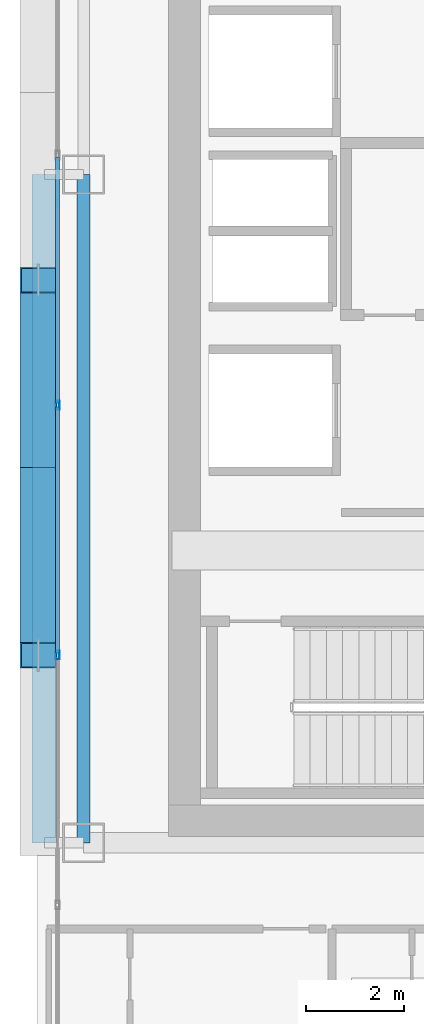
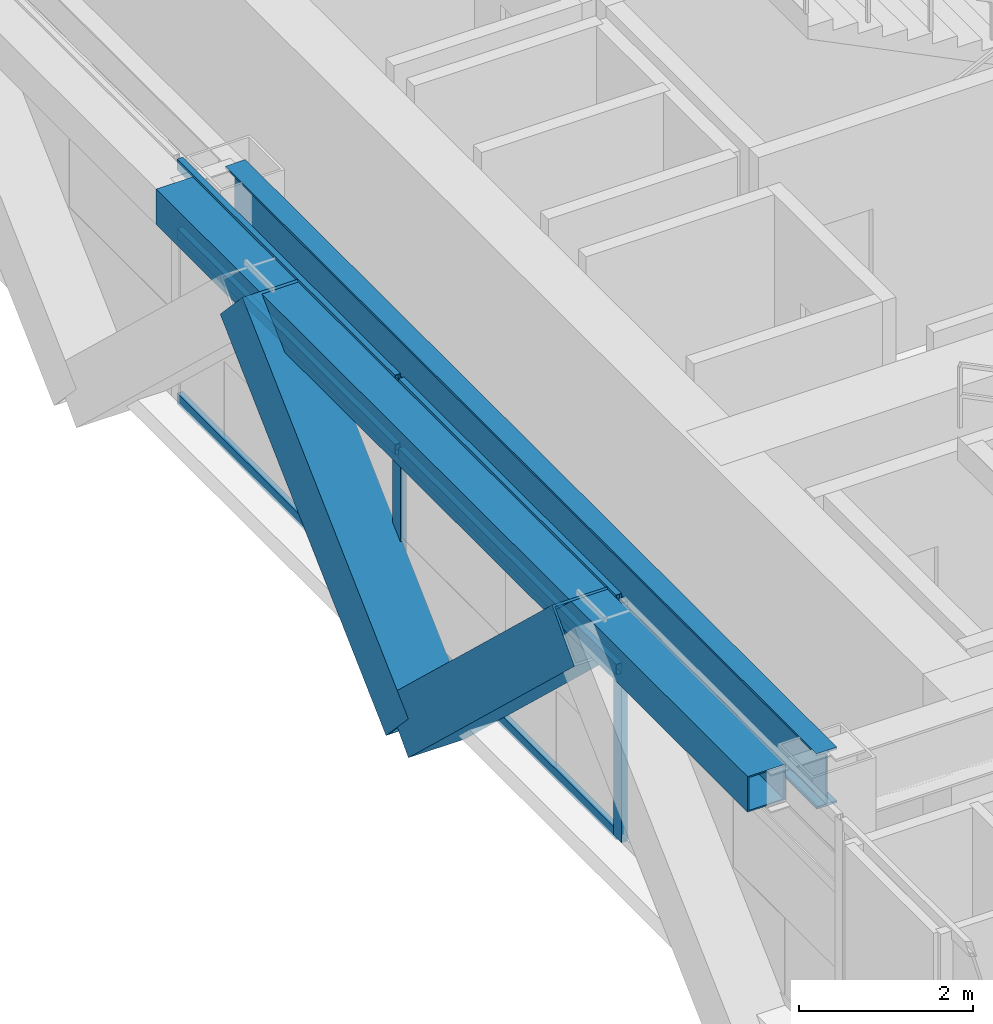
# One storey, part 6 of 36: 10 members, 2 beams, 1 element without a shape of its own.
"""IFC4 building model written with IfcOpenShell, lengths in metres."""

from ifc_helpers import new_model, si_unit, direction, frame, origin, origin_2d, place, context, subcontext, project, spatial, hollow_rectangle, i_section, extrude, source, transform, mapped, material, layer, layer_set, material_profile, profile_set, type_object, element, aggregate, save


model = new_model("IFC4")

# Units and contexts
model_context = context("Model", 3, precision=1e-05, world=origin(), true_north=direction((0.0, 1.0)))
body_context = subcontext(model_context, "Body", "Model", "MODEL_VIEW")
ifc_project = project(units=[si_unit("LENGTHUNIT", "METRE"), si_unit("AREAUNIT", "SQUARE_METRE"), si_unit("VOLUMEUNIT", "CUBIC_METRE"), si_unit("PLANEANGLEUNIT", "RADIAN"), si_unit("MASSUNIT", "GRAM", prefix="KILO")], contexts=[model_context])

# Site, building, storey
site_placement = place(None, origin())
site = spatial("IfcSite", under=ifc_project, at=site_placement, CompositionType="ELEMENT")
building_placement = place(site_placement, origin())
building = spatial("IfcBuilding", under=site, at=building_placement, Name="Ocotamira Hotel", CompositionType="ELEMENT")
storey_placement = place(building_placement, frame((0.0, 0.0, 133.199951171875)))
storey = spatial("IfcBuildingStorey", under=building, at=storey_placement, Name="L33", CompositionType="ELEMENT", Elevation=133.199951171875)

# Beams
ifc_material_1 = material(Name="Steel ASTM A992 Grade 50", Category="steel")
ifc_material_profile_1 = material_profile(ifc_material_1, i_section(OverallWidth=0.26611328125, OverallDepth=0.779052734375, WebThickness=0.0166015625, FlangeThickness=0.030029296875, FilletRadius=0.01806640625, at=origin_2d()), Name="W30X148")
ifc_profile_set_1 = profile_set([ifc_material_profile_1], Name="Steel ASTM A992 Grade 50")
beam_type_1 = type_object("IfcBeamType", Name="BM-GIRD-W30X148", PredefinedType="BEAM", material=ifc_profile_set_1)
shared_shape_1 = source(origin(), body_context, "Body", "SweptSolid", [
    extrude(i_section(OverallWidth=0.26611328125, OverallDepth=0.779052734375, WebThickness=0.0166015625, FlangeThickness=0.030029296875, FilletRadius=0.01806640625, at=origin_2d()), origin(), (0.0, 0.0, 1.0), 13.599853515625),
])
beam_1_placement = place(storey_placement, frame((8.949951171875, 14.550048828125, 2.970458984375), z_axis=(0.0, 1.0, 0.0), x_axis=(-1.0, 0.0, 0.0)))
element("IfcBeam", 1, at=beam_1_placement, inside=storey, type_object=beam_type_1, Name="L33 Beam X8.95 Y14.55-28.15", PredefinedType="BEAM", context=body_context, shape_type="MappedRepresentation", body=[
    mapped(shared_shape_1, transform((0.0, 0.0, 0.0), scale=1.0)),
])
ifc_material_2 = material(Name="Steel ASTM A500 Grade C", Category="steel")
ifc_material_profile_2 = material_profile(ifc_material_2, hollow_rectangle(XDim=0.5, YDim=0.5, WallThickness=0.02001953125, at=origin_2d()), Name="HSS500X500X20")
ifc_profile_set_2 = profile_set([ifc_material_profile_2], Name="Steel ASTM A500 Grade C")
beam_type_2 = type_object("IfcBeamType", Name="BM-SPAN-HSS500", PredefinedType="USERDEFINED", material=ifc_profile_set_2)
shared_shape_2 = source(origin(), body_context, "Body", "SweptSolid", [
    extrude(hollow_rectangle(XDim=0.5, YDim=0.5, WallThickness=0.02001953125, at=origin_2d()), origin(), (0.0, 0.0, 1.0), 13.599853515625),
])
beam_2_placement = place(storey_placement, frame((8.14990234375, 14.550048828125, 3.110107421875), z_axis=(0.0, 1.0, 0.0), x_axis=(-1.0, 0.0, 0.0)))
element("IfcBeam", 2, at=beam_2_placement, inside=storey, type_object=beam_type_2, Name="L33 Edge Spandrel W Y14.55-28.15", ObjectType="SPANDREL", PredefinedType="USERDEFINED", context=body_context, shape_type="MappedRepresentation", body=[
    mapped(shared_shape_2, transform((0.0, 0.0, 0.0), scale=1.0)),
])

# Members
ifc_material_3 = material(Name="Pale-metal coated steel ASTM A913 Grade 65", Category="steel")
ifc_material_profile_3 = material_profile(ifc_material_3, hollow_rectangle(XDim=0.75, YDim=0.75, WallThickness=0.028076171875, at=origin_2d()), Name="BOX750X750X28")
ifc_profile_set_3 = profile_set([ifc_material_profile_3], Name="Pale-metal coated steel ASTM A913 Grade 65")
member_type_1 = type_object("IfcMemberType", Name="MEM-EXO-BOX750", PredefinedType="BRACE", material=ifc_profile_set_3)
shared_shape_3 = source(origin(), body_context, "Body", "SweptSolid", [
    extrude(hollow_rectangle(XDim=0.75, YDim=0.75, WallThickness=0.028076171875, at=origin_2d()), origin(), (0.0, 0.0, 1.0), 5.24658203125),
])
for number, where, z_axis, x_axis, name in (
    (3, (8.030029296875, 22.183349609375, -0.489990234375), (0.0, -0.727442733726, 0.686168397078), (1.0, 0.0, 0.0), "L33 Exoskeleton Diagrid W0.2"),
    (4, (8.030029296875, 22.183349609375, -0.489990234375), (0.0, 0.727442733726, 0.686168397078), (-1.0, 0.0, 0.0), "L33 Exoskeleton Diagrid W1.1"),
):
    element("IfcMember", number, at=place(storey_placement, frame(where, z_axis=z_axis, x_axis=x_axis)), inside=storey, type_object=member_type_1, Name=name, PredefinedType="BRACE", context=body_context, shape_type="MappedRepresentation", body=[
        mapped(shared_shape_3, transform((0.0, 0.0, 0.0), scale=1.0)),
    ])

# Curtain wall, members
ifc_material_4 = material(Name="Anodised pale-metal aluminium and solar glass", Category="aluminium")
ifc_layer = layer(ifc_material_4, 0.179931640625)
ifc_layer_set = layer_set([ifc_layer], Name="Anodised pale-metal aluminium and solar glass")
curtain_wall_type = type_object("IfcCurtainWallType", Name="CW-SYS3-Z2", PredefinedType="NOTDEFINED", material=ifc_layer_set)
curtain_wall_placement = place(storey_placement, origin())
curtain_wall = element("IfcCurtainWall", 5, at=curtain_wall_placement, inside=storey, type_object=curtain_wall_type, Name="L33 Curtain Wall CW-3 CW-L33-W", PredefinedType="NOTDEFINED")
ifc_material_5 = material(Name="Anodised pale-metal aluminium 6063-T6", Category="aluminium")
ifc_material_profile_4 = material_profile(ifc_material_5, hollow_rectangle(XDim=0.074951171875, YDim=0.14990234375, WallThickness=0.006103515625, at=origin_2d()), Name="HSS150X75X6")
ifc_profile_set_4 = profile_set([ifc_material_profile_4], Name="Anodised pale-metal aluminium 6063-T6")
member_type_2 = type_object("IfcMemberType", Name="CWT-150X75", PredefinedType="USERDEFINED", material=ifc_profile_set_4)
shared_shape_4 = source(origin(), body_context, "Body", "SweptSolid", [
    extrude(hollow_rectangle(XDim=0.074951171875, YDim=0.14990234375, WallThickness=0.006103515625, at=origin_2d()), origin(), (0.0, 0.0, 1.0), 5.005859375),
])
member_1_placement = place(storey_placement, frame((8.419921875, 18.411376953125, 0.03759765625), z_axis=(0.0, 1.0, 0.0), x_axis=(-1.0, 0.0, 0.0)))
member_1 = element("IfcMember", 6, at=member_1_placement, type_object=member_type_2, Name="CW-3 transom 3.1", ObjectType="TRANSOM", PredefinedType="USERDEFINED", context=body_context, shape_type="MappedRepresentation", body=[
    mapped(shared_shape_4, transform((0.0, 0.0, 0.0), scale=1.0)),
])
member_2_placement = place(storey_placement, frame((8.419921875, 18.411376953125, 2.35009765625), z_axis=(0.0, 1.0, 0.0), x_axis=(-1.0, 0.0, 0.0)))
member_2 = element("IfcMember", 7, at=member_2_placement, type_object=member_type_2, Name="CW-3 transom 3.2", ObjectType="TRANSOM", PredefinedType="USERDEFINED", context=body_context, shape_type="MappedRepresentation", body=[
    mapped(shared_shape_4, transform((0.0, 0.0, 0.0), scale=1.0)),
])
member_3_placement = place(storey_placement, frame((8.419921875, 18.411376953125, 3.322509765625), z_axis=(0.0, 1.0, 0.0), x_axis=(-1.0, 0.0, 0.0)))
member_3 = element("IfcMember", 8, at=member_3_placement, type_object=member_type_2, Name="CW-3 transom 3.3", ObjectType="TRANSOM", PredefinedType="USERDEFINED", context=body_context, shape_type="MappedRepresentation", body=[
    mapped(shared_shape_4, transform((0.0, 0.0, 0.0), scale=1.0)),
])
member_4_placement = place(storey_placement, frame((8.419921875, 23.4970703125, 0.03759765625), z_axis=(0.0, 1.0, 0.0), x_axis=(-1.0, 0.0, 0.0)))
member_4 = element("IfcMember", 9, at=member_4_placement, type_object=member_type_2, Name="CW-3 transom 4.1", ObjectType="TRANSOM", PredefinedType="USERDEFINED", context=body_context, shape_type="MappedRepresentation", body=[
    mapped(shared_shape_4, transform((0.0, 0.0, 0.0), scale=1.0)),
])
member_5_placement = place(storey_placement, frame((8.419921875, 23.4970703125, 2.35009765625), z_axis=(0.0, 1.0, 0.0), x_axis=(-1.0, 0.0, 0.0)))
member_5 = element("IfcMember", 10, at=member_5_placement, type_object=member_type_2, Name="CW-3 transom 4.2", ObjectType="TRANSOM", PredefinedType="USERDEFINED", context=body_context, shape_type="MappedRepresentation", body=[
    mapped(shared_shape_4, transform((0.0, 0.0, 0.0), scale=1.0)),
])
member_6_placement = place(storey_placement, frame((8.419921875, 23.4970703125, 3.322509765625), z_axis=(0.0, 1.0, 0.0), x_axis=(-1.0, 0.0, 0.0)))
member_6 = element("IfcMember", 11, at=member_6_placement, type_object=member_type_2, Name="CW-3 transom 4.3", ObjectType="TRANSOM", PredefinedType="USERDEFINED", context=body_context, shape_type="MappedRepresentation", body=[
    mapped(shared_shape_4, transform((0.0, 0.0, 0.0), scale=1.0)),
])
ifc_material_profile_5 = material_profile(ifc_material_5, hollow_rectangle(XDim=0.080078125, YDim=0.179931640625, WallThickness=0.006103515625, at=origin_2d()), Name="HSS180X80X6")
ifc_profile_set_5 = profile_set([ifc_material_profile_5], Name="Anodised pale-metal aluminium 6063-T6")
member_type_3 = type_object("IfcMemberType", Name="CWM-180X75", PredefinedType="MULLION", material=ifc_profile_set_5)
shared_shape_5 = source(origin(), body_context, "Body", "SweptSolid", [
    extrude(hollow_rectangle(XDim=0.080078125, YDim=0.179931640625, WallThickness=0.006103515625, at=origin_2d()), origin(), (0.0, 0.0, 1.0), 3.360107421875),
])
member_7_placement = place(storey_placement, frame((8.419921875, 18.371337890625, 0.0), z_axis=(0.0, 0.0, 1.0), x_axis=(-1.0, 0.0, 0.0)))
member_7 = element("IfcMember", 12, at=member_7_placement, type_object=member_type_3, Name="CW-3 mullion 3", PredefinedType="MULLION", context=body_context, shape_type="MappedRepresentation", body=[
    mapped(shared_shape_5, transform((0.0, 0.0, 0.0), scale=1.0)),
])
member_8_placement = place(storey_placement, frame((8.419921875, 23.45703125, 0.0), z_axis=(0.0, 0.0, 1.0), x_axis=(-1.0, 0.0, 0.0)))
member_8 = element("IfcMember", 13, at=member_8_placement, type_object=member_type_3, Name="CW-3 mullion 4", PredefinedType="MULLION", context=body_context, shape_type="MappedRepresentation", body=[
    mapped(shared_shape_5, transform((0.0, 0.0, 0.0), scale=1.0)),
])
aggregate(curtain_wall, [member_7, member_8, member_1, member_2, member_3, member_4, member_5, member_6])

save(model, "model.ifc")
